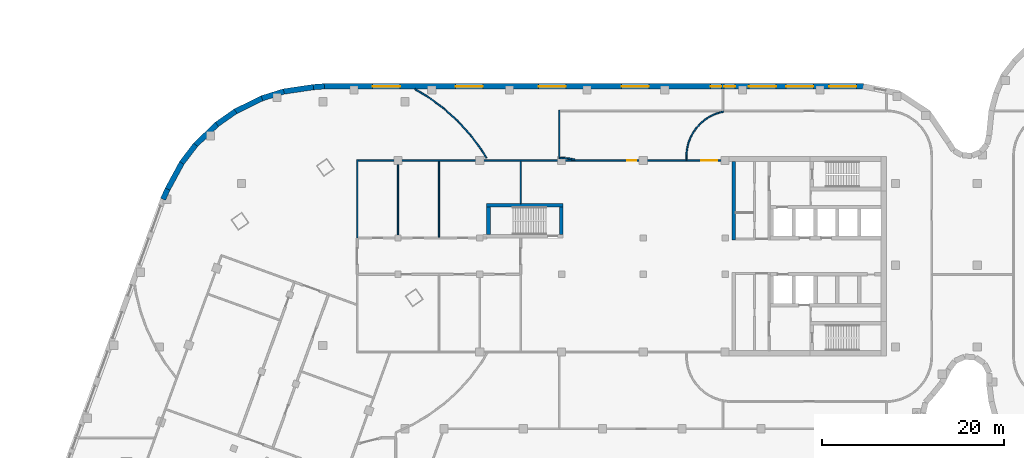
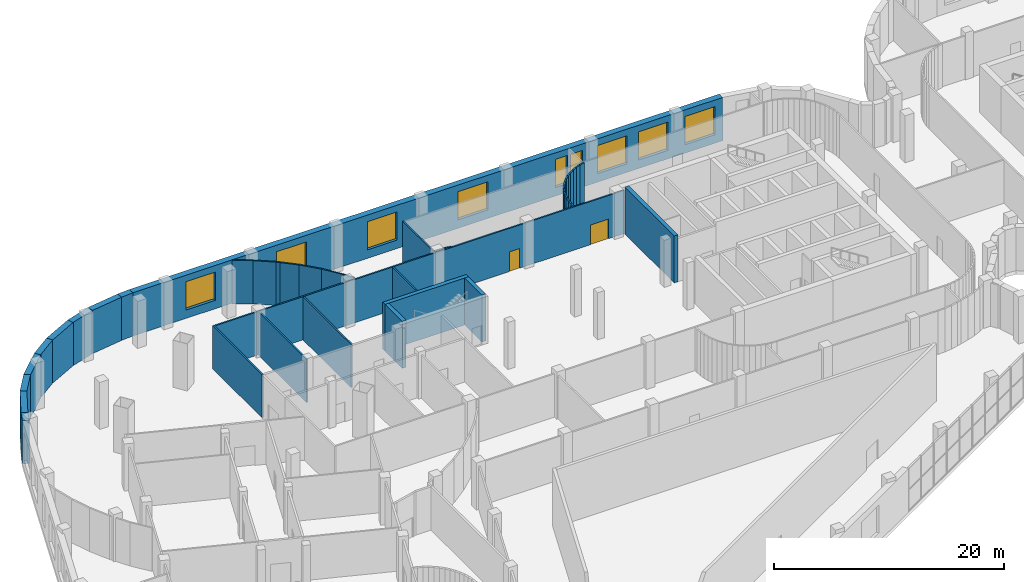
# One storey, part 16 of 24: 46 walls, 9 windows, 2 doors, 11 openings.
"""IFC4 building model written with IfcOpenShell, lengths in metres."""

import ifcopenshell
import ifcopenshell.guid

model = None  # the IFC model being written
_history = None  # IfcOwnerHistory: only IFC2X3 demands one
_inside = {}  # id of a spatial element -> (the spatial element, [elements in it])
_under = {}  # id of a project, library or spatial element -> (it, [spatial elements below it])
_declared = {}  # id of a project -> (the project, [libraries it declares])
_typed = {}  # id of a type object -> (the type object, [elements of that type])
_made_of = {}  # id of a material, layer set ... -> (it, [elements and type objects made of it])


def new_model(schema):
    """Start an empty IFC model of exactly this schema.

    Asked for "IFC4X3", IfcOpenShell would pick the latest addendum, in which some entities
    have other attributes; the version numbers below select the first issue.
    IFC2X3 requires an IfcOwnerHistory on every rooted entity: one is made here for all.
    """
    global model, _history
    if schema == "IFC4X3":
        model = ifcopenshell.file(schema_version=(4, 3, 0, 0))
    else:
        model = ifcopenshell.file(schema=schema)
    _inside.clear()
    _under.clear()
    _declared.clear()
    _typed.clear()
    _made_of.clear()
    _history = None
    if model.schema == "IFC2X3":
        org = make("IfcOrganization", Name="unknown")
        user = make(
            "IfcPersonAndOrganization",
            ThePerson=make("IfcPerson", FamilyName="unknown"),
            TheOrganization=org,
        )
        app = make(
            "IfcApplication",
            ApplicationDeveloper=org,
            Version="unknown",
            ApplicationFullName="unknown",
            ApplicationIdentifier="unknown",
        )
        _history = make(
            "IfcOwnerHistory",
            OwningUser=user,
            OwningApplication=app,
            ChangeAction="ADDED",
            CreationDate=0,
        )
    return model


def make(cls, **values):
    """One entity of the class cls with the attributes given. An attribute that is None is left unset."""
    return model.create_entity(
        cls, **{name: value for name, value in values.items() if value is not None}
    )


def rooted(cls, **values):
    """An entity with a GlobalId (a new one), such as an element, a storey or a relation."""
    return make(cls, GlobalId=ifcopenshell.guid.new(), OwnerHistory=_history, **values)


def si_unit(unit_type, name, prefix=None):
    """IfcSIUnit, for example si_unit("LENGTHUNIT", "METRE", prefix="MILLI")."""
    return make("IfcSIUnit", UnitType=unit_type, Prefix=prefix, Name=name)


def assignment(units):
    """IfcUnitAssignment: the units of a project."""
    return None if units is None else make("IfcUnitAssignment", Units=units)


def point(xyz):
    """IfcCartesianPoint."""
    return None if xyz is None else make("IfcCartesianPoint", Coordinates=xyz)


def direction(xyz):
    """IfcDirection."""
    return None if xyz is None else make("IfcDirection", DirectionRatios=xyz)


def frame(location, z_axis=None, x_axis=None):
    """IfcAxis2Placement3D, a coordinate frame: its origin and axes. An axis left out is left unset."""
    return make(
        "IfcAxis2Placement3D",
        Location=point(location),
        Axis=direction(z_axis),
        RefDirection=direction(x_axis),
    )


def frame_2d(location, x_axis=None):
    """IfcAxis2Placement2D, a coordinate frame in the plane: its origin and x axis."""
    return make(
        "IfcAxis2Placement2D", Location=point(location), RefDirection=direction(x_axis)
    )


def origin():
    """The frame at (0, 0, 0) with its axes left unset."""
    return frame((0.0, 0.0, 0.0))


def place(relative_to, where):
    """IfcLocalPlacement: puts the frame where relative to a parent placement (None: the world)."""
    return make(
        "IfcLocalPlacement", PlacementRelTo=relative_to, RelativePlacement=where
    )


def context(
    kind, dimensions, precision=None, world=None, true_north=None, identifier=None
):
    """IfcGeometricRepresentationContext, for example the 3D "Model" context."""
    return make(
        "IfcGeometricRepresentationContext",
        ContextIdentifier=identifier,
        ContextType=kind,
        CoordinateSpaceDimension=dimensions,
        Precision=precision,
        WorldCoordinateSystem=world,
        TrueNorth=true_north,
    )


def subcontext(parent, identifier, kind, view, scale=None):
    """IfcGeometricRepresentationSubContext, for example "Body" below "Model"."""
    return make(
        "IfcGeometricRepresentationSubContext",
        ContextIdentifier=identifier,
        ContextType=kind,
        ParentContext=parent,
        TargetScale=scale,
        TargetView=view,
    )


def project(units=None, contexts=None):
    """IfcProject with its units and contexts."""
    return rooted(
        "IfcProject",
        Name="project",
        RepresentationContexts=contexts,
        UnitsInContext=assignment(units),
    )


def spatial(cls, under=None, at=None, **own):
    """A site, building, storey or space (cls), placed at a placement, below another one or the project."""
    s = rooted(cls, ObjectPlacement=at, **own)
    if under is not None:
        _under.setdefault(under.id(), (under, []))[1].append(s)
    return s


def profile(cls, at=None, kind="AREA", **sizes):
    """A parametric profile (cls). Its sizes go by their IFC names, for example OverallWidth=200.0."""
    return make(cls, ProfileType=kind, Position=at, **sizes)


def rectangle(**sizes):
    """IfcRectangleProfileDef."""
    return profile("IfcRectangleProfileDef", **sizes)


def extrude(swept, where, along, depth):
    """IfcExtrudedAreaSolid: the profile swept, set in the frame where, extruded along a direction by depth."""
    return make(
        "IfcExtrudedAreaSolid",
        SweptArea=swept,
        Position=where,
        ExtrudedDirection=direction(along),
        Depth=depth,
    )


def shape(context_of_items, identifier, shape_type, items):
    """IfcShapeRepresentation: the items that make up one representation, for example the "Body"."""
    return make(
        "IfcShapeRepresentation",
        ContextOfItems=context_of_items,
        RepresentationIdentifier=identifier,
        RepresentationType=shape_type,
        Items=items,
    )


def material(Name=None, Category=None):
    """IfcMaterial."""
    return make("IfcMaterial", Name=Name, Category=Category)


def layer(
    of_material, thickness, ventilated=None, Name=None, Category=None, Priority=None
):
    """IfcMaterialLayer: one layer of a wall or slab, of a material (None: an air gap)."""
    return make(
        "IfcMaterialLayer",
        Material=of_material,
        LayerThickness=thickness,
        IsVentilated=ventilated,
        Name=Name,
        Category=Category,
        Priority=Priority,
    )


def layer_set(layers, Name=None):
    """IfcMaterialLayerSet."""
    return make("IfcMaterialLayerSet", MaterialLayers=layers, LayerSetName=Name)


def made_of(thing, what):
    """Note that an element or type object is made of a material, layer set ...; save() writes the relation."""
    if what is not None:
        _made_of.setdefault(what.id(), (what, []))[1].append(thing)
    return thing


def type_object(cls, material=None, **own):
    """A type object (cls), such as IfcWallType, which elements share."""
    return made_of(rooted(cls, **own), material)


def element(
    cls,
    number,
    at=None,
    inside=None,
    cuts=None,
    type_object=None,
    material=None,
    context=None,
    identifier="Body",
    shape_type=None,
    held_by="IfcProductDefinitionShape",
    body=None,
    shapes=None,
    **own,
):
    """One element of the class cls, such as IfcWall. Its Tag is "e" and its number.

    at: its placement. inside: the storey or other place that contains it. cuts: it is an
    opening in that element (IfcRelVoidsElement). A single representation is given by context,
    identifier, shape_type and body (its items); several are given by shapes. held_by: the class
    of the entity that holds the representations. save() writes the other relations.
    """
    e = rooted(cls, Tag="e%d" % number, ObjectPlacement=at, **own)
    if body is not None:
        shapes = [shape(context, identifier, shape_type, body)]
    if shapes is not None:
        e.Representation = make(held_by, Representations=shapes)
    if inside is not None:
        _inside.setdefault(inside.id(), (inside, []))[1].append(e)
    if cuts is not None:
        rooted(
            "IfcRelVoidsElement", RelatingBuildingElement=cuts, RelatedOpeningElement=e
        )
    if type_object is not None:
        _typed.setdefault(type_object.id(), (type_object, []))[1].append(e)
    return made_of(e, material)


def fill(opening, filler):
    """IfcRelFillsElement: the door or window that sits in an opening."""
    return rooted(
        "IfcRelFillsElement",
        RelatingOpeningElement=opening,
        RelatedBuildingElement=filler,
    )


def aggregate(whole, parts):
    """IfcRelAggregates: a whole, such as a stair, and the parts it consists of."""
    return rooted("IfcRelAggregates", RelatingObject=whole, RelatedObjects=parts)


def save(model, path):
    """Write the relations noted so far, then the file.

    IfcRelAggregates (storeys below a building ...), IfcRelContainedInSpatialStructure (elements
    in a storey), IfcRelDefinesByType, IfcRelAssociatesMaterial and IfcRelDeclares: one each for
    every whole, place, type object, material and project.
    """
    for whole, parts in _under.values():
        aggregate(whole, parts)
    for where, things in _inside.values():
        rooted(
            "IfcRelContainedInSpatialStructure",
            RelatedElements=things,
            RelatingStructure=where,
        )
    for kind, things in _typed.values():
        rooted("IfcRelDefinesByType", RelatedObjects=things, RelatingType=kind)
    for what, things in _made_of.values():
        rooted("IfcRelAssociatesMaterial", RelatedObjects=things, RelatingMaterial=what)
    for by, libraries in _declared.values():
        rooted("IfcRelDeclares", RelatingContext=by, RelatedDefinitions=libraries)
    model.write(path)


model = new_model("IFC4")

# Units and contexts
model_context = context("Model", 3, precision=1e-05, world=origin(), true_north=direction((0.0, 1.0)))
body_context = subcontext(model_context, "Body", "Model", "MODEL_VIEW")
ifc_project = project(units=[si_unit("LENGTHUNIT", "METRE"), si_unit("AREAUNIT", "SQUARE_METRE"), si_unit("VOLUMEUNIT", "CUBIC_METRE"), si_unit("PLANEANGLEUNIT", "RADIAN"), si_unit("MASSUNIT", "GRAM", prefix="KILO")], contexts=[model_context])

# Site, building, storey
site_placement = place(None, origin())
site = spatial("IfcSite", under=ifc_project, at=site_placement, CompositionType="ELEMENT")
building_placement = place(site_placement, origin())
building = spatial("IfcBuilding", under=site, at=building_placement, Name="Skarvind Civic Tower", CompositionType="ELEMENT")
storey_placement = place(building_placement, frame((0.0, 0.0, 12.5)))
storey = spatial("IfcBuildingStorey", under=building, at=storey_placement, Name="L02", CompositionType="ELEMENT", Elevation=12.5)

# Walls
ifc_material_1 = material(Name="Concrete C80", Category="concrete")
ifc_layer_1 = layer(ifc_material_1, 0.39990234375)
ifc_layer_set_1 = layer_set([ifc_layer_1], Name="Core wall 400 C80")
wall_type_1 = type_object("IfcWallType", Name="Core wall 400 C80", PredefinedType="SHEAR", material=ifc_layer_set_1)
wall_1_placement = place(storey_placement, frame((91.199951171875, 138.39990234375, 0.0), z_axis=(0.0, 0.0, 1.0), x_axis=(0.0, -1.0, 0.0)))
element("IfcWall", 1, at=wall_1_placement, inside=storey, type_object=wall_type_1, Name="Core wall C1 south inner face L02", PredefinedType="SHEAR", context=body_context, shape_type="SweptSolid", body=[
    extrude(rectangle(XDim=8.599853515625, YDim=0.39990234375, at=frame_2d((4.2998046875, 0.0))), origin(), (0.0, 0.0, 1.0), 5.0),
])
wall_2_placement = place(storey_placement, frame((64.0, 133.60009765625, 0.0), z_axis=(0.0, 0.0, 1.0), x_axis=(1.0, 0.0, 0.0)))
element("IfcWall", 2, at=wall_2_placement, inside=storey, type_object=wall_type_1, Name="Core wall CM outer L02", PredefinedType="SHEAR", context=body_context, shape_type="SweptSolid", body=[
    extrude(rectangle(XDim=8.39990234375, YDim=0.39990234375, at=frame_2d((4.199951171875, 0.0))), origin(), (0.0, 0.0, 1.0), 5.0),
])
for number, where, z_axis, x_axis, name in (
    (3, (64.199951171875, 130.39990234375, 0.0), (0.0, 0.0, 1.0), (0.0, 1.0, 0.0), "Core wall CM west L02"),
    (4, (72.199951171875, 130.39990234375, 0.0), (0.0, 0.0, 1.0), (0.0, 1.0, 0.0), "Core wall CM end L02"),
):
    element("IfcWall", number, at=place(storey_placement, frame(where, z_axis=z_axis, x_axis=x_axis)), inside=storey, type_object=wall_type_1, Name=name, PredefinedType="SHEAR", context=body_context, shape_type="SweptSolid", body=[
        extrude(rectangle(XDim=3.0, YDim=0.39990234375, at=frame_2d((1.5, 0.0))), origin(), (0.0, 0.0, 1.0), 5.0),
    ])
ifc_material_2 = material(Name="Plasterboard partition on steel studs", Category="steel")
ifc_layer_2 = layer(ifc_material_2, 0.14990234375)
ifc_layer_set_2 = layer_set([ifc_layer_2], Name="PARTITION 150")
wall_type_2 = type_object("IfcWallType", Name="PARTITION 150", PredefinedType="PARTITIONING", material=ifc_layer_set_2)
wall_3_placement = place(storey_placement, frame((49.75, 130.0, 0.0), z_axis=(0.0, 0.0, 1.0), x_axis=(0.0, 1.0, 0.0)))
element("IfcWall", 5, at=wall_3_placement, inside=storey, type_object=wall_type_2, Name="Podium partition L02 098", PredefinedType="PARTITIONING", context=body_context, shape_type="SweptSolid", body=[
    extrude(rectangle(XDim=8.625, YDim=0.14990234375, at=frame_2d((4.3125, 0.0))), origin(), (0.0, 0.0, 1.0), 4.60009765625),
])

# Wall, openings, doors
wall_4_placement = place(storey_placement, frame((49.824951171875, 138.550048828125, 0.0), z_axis=(0.0, 0.0, 1.0), x_axis=(1.0, 0.0, 0.0)))
wall_4 = element("IfcWall", 6, at=wall_4_placement, inside=storey, type_object=wall_type_2, Name="Podium partition L02 100", PredefinedType="PARTITIONING", context=body_context, shape_type="SweptSolid", body=[
    extrude(rectangle(XDim=41.175048828125, YDim=0.14990234375, at=frame_2d((20.58740234375, 0.0))), origin(), (0.0, 0.0, 1.0), 4.60009765625),
])
opening_1_placement = place(wall_4_placement, frame((29.64501953125, 0.0, 0.0)))
opening_1 = element("IfcOpeningElement", 7, at=opening_1_placement, cuts=wall_4, Name="Opening L02-D225", PredefinedType="OPENING", context=body_context, shape_type="SweptSolid", body=[
    extrude(rectangle(XDim=1.0, YDim=2.10009765625, at=frame_2d((0.5, 1.050048828125))), frame((0.0, 0.0849609375, 0.0), z_axis=(0.0, -1.0, 0.0), x_axis=(1.0, 0.0, 0.0)), (0.0, 0.0, 1.0), 0.169921875),
])
opening_2_placement = place(wall_4_placement, frame((37.77490234375, 0.0, 0.0)))
opening_2 = element("IfcOpeningElement", 8, at=opening_2_placement, cuts=wall_4, Name="Opening L02-D227", PredefinedType="OPENING", context=body_context, shape_type="SweptSolid", body=[
    extrude(rectangle(XDim=1.800048828125, YDim=2.10009765625, at=frame_2d((0.89990234375, 1.050048828125))), frame((0.0, 0.0849609375, 0.0), z_axis=(0.0, -1.0, 0.0), x_axis=(1.0, 0.0, 0.0)), (0.0, 0.0, 1.0), 0.169921875),
])
ifc_material_3 = material(Name="Timber veneer door leaf", Category="wood")
door_type_1 = type_object("IfcDoorType", Name="DOOR 1000X2100 TIMBER", OperationType="NOTDEFINED", PredefinedType="DOOR", material=ifc_material_3)
door_1_placement = place(opening_1_placement, origin())
door_1 = element("IfcDoor", 9, at=door_1_placement, inside=storey, type_object=door_type_1, Name="DOOR DOOR", OperationType="SINGLE_SWING_LEFT", OverallHeight=2.10009765625, OverallWidth=1.0, PredefinedType="DOOR", context=body_context, shape_type="SweptSolid", body=[
    extrude(rectangle(XDim=1.0, YDim=2.10009765625, at=frame_2d((0.5, 1.050048828125))), frame((0.0, 0.02490234375, 0.0), z_axis=(0.0, -1.0, 0.0), x_axis=(1.0, 0.0, 0.0)), (0.0, 0.0, 1.0), 0.050048828125),
])
fill(opening_1, door_1)
door_type_2 = type_object("IfcDoorType", Name="DOOR 1800X2100 DOUBLE TIMBER", OperationType="NOTDEFINED", PredefinedType="DOOR", material=ifc_material_3)
door_2_placement = place(opening_2_placement, origin())
door_2 = element("IfcDoor", 10, at=door_2_placement, inside=storey, type_object=door_type_2, Name="DOOR DOOR", OperationType="DOUBLE_DOOR_SINGLE_SWING", OverallHeight=2.10009765625, OverallWidth=1.800048828125, PredefinedType="DOOR", context=body_context, shape_type="SweptSolid", body=[
    extrude(rectangle(XDim=1.800048828125, YDim=2.10009765625, at=frame_2d((0.89990234375, 1.050048828125))), frame((0.0, 0.02490234375, 0.0), z_axis=(0.0, -1.0, 0.0), x_axis=(1.0, 0.0, 0.0)), (0.0, 0.0, 1.0), 0.050048828125),
])
fill(opening_2, door_2)

# Walls
wall_5_placement = place(storey_placement, frame((54.25, 130.10009765625, 0.0), z_axis=(0.0, 0.0, 1.0), x_axis=(0.0, 1.0, 0.0)))
element("IfcWall", 11, at=wall_5_placement, inside=storey, type_object=wall_type_2, Name="Podium partition L02 118", PredefinedType="PARTITIONING", context=body_context, shape_type="SweptSolid", body=[
    extrude(rectangle(XDim=8.375, YDim=0.14990234375, at=frame_2d((4.1875, 0.0))), origin(), (0.0, 0.0, 1.0), 4.60009765625),
])
wall_6_placement = place(storey_placement, frame((56.10009765625, 146.39990234375, 0.0), z_axis=(0.0, 0.0, 1.0), x_axis=(0.857728238456, -0.514103364076, 0.0)))
element("IfcWall", 12, at=wall_6_placement, inside=storey, type_object=wall_type_2, Name="Podium partition L02 120", PredefinedType="PARTITIONING", context=body_context, shape_type="SweptSolid", body=[
    extrude(rectangle(XDim=1.830322265625, YDim=0.14990234375, at=frame_2d((0.9150390625, 0.0))), origin(), (0.0, 0.0, 1.0), 4.60009765625),
])
wall_7_placement = place(storey_placement, frame((57.6640625, 145.462890625, 0.0), z_axis=(0.0, 0.0, 1.0), x_axis=(0.80317638599, -0.595741297031, 0.0)))
element("IfcWall", 13, at=wall_7_placement, inside=storey, type_object=wall_type_2, Name="Podium partition L02 122", PredefinedType="PARTITIONING", context=body_context, shape_type="SweptSolid", body=[
    extrude(rectangle(XDim=2.06787109375, YDim=0.14990234375, at=frame_2d((1.033935546875, 0.0))), origin(), (0.0, 0.0, 1.0), 4.60009765625),
])
wall_8_placement = place(storey_placement, frame((58.75, 130.10009765625, 0.0), z_axis=(0.0, 0.0, 1.0), x_axis=(0.0, 1.0, 0.0)))
element("IfcWall", 14, at=wall_8_placement, inside=storey, type_object=wall_type_2, Name="Podium partition L02 124", PredefinedType="PARTITIONING", context=body_context, shape_type="SweptSolid", body=[
    extrude(rectangle(XDim=8.375, YDim=0.14990234375, at=frame_2d((4.1875, 0.0))), origin(), (0.0, 0.0, 1.0), 4.60009765625),
])
wall_9_placement = place(storey_placement, frame((59.319091796875, 144.235107421875, 0.0), z_axis=(0.0, 0.0, 1.0), x_axis=(0.741733743968, -0.670694455813, 0.0)))
element("IfcWall", 15, at=wall_9_placement, inside=storey, type_object=wall_type_2, Name="Podium partition L02 127", PredefinedType="PARTITIONING", context=body_context, shape_type="SweptSolid", body=[
    extrude(rectangle(XDim=0.3505859375, YDim=0.14990234375, at=frame_2d((0.17529296875, 0.0))), origin(), (0.0, 0.0, 1.0), 4.60009765625),
])
wall_10_placement = place(storey_placement, frame((59.5791015625, 144.0, 0.0), z_axis=(0.0, 0.0, 1.0), x_axis=(0.741141652103, -0.671348681028, 0.0)))
element("IfcWall", 16, at=wall_10_placement, inside=storey, type_object=wall_type_2, Name="Podium partition L02 128", PredefinedType="PARTITIONING", context=body_context, shape_type="SweptSolid", body=[
    extrude(rectangle(XDim=1.717529296875, YDim=0.14990234375, at=frame_2d((0.85888671875, 0.0))), origin(), (0.0, 0.0, 1.0), 4.60009765625),
])
wall_11_placement = place(storey_placement, frame((60.846923828125, 142.85205078125, 0.0), z_axis=(0.0, 0.0, 1.0), x_axis=(0.671237826278, -0.741242052621, 0.0)))
element("IfcWall", 17, at=wall_11_placement, inside=storey, type_object=wall_type_2, Name="Podium partition L02 130", PredefinedType="PARTITIONING", context=body_context, shape_type="SweptSolid", body=[
    extrude(rectangle(XDim=2.068115234375, YDim=0.14990234375, at=frame_2d((1.0341796875, 0.0))), origin(), (0.0, 0.0, 1.0), 4.60009765625),
])
wall_12_placement = place(storey_placement, frame((62.23095703125, 141.324951171875, 0.0), z_axis=(0.0, 0.0, 1.0), x_axis=(0.595741297031, -0.80317638599, 0.0)))
element("IfcWall", 18, at=wall_12_placement, inside=storey, type_object=wall_type_2, Name="Podium partition L02 132", PredefinedType="PARTITIONING", context=body_context, shape_type="SweptSolid", body=[
    extrude(rectangle(XDim=2.06787109375, YDim=0.14990234375, at=frame_2d((1.033935546875, 0.0))), origin(), (0.0, 0.0, 1.0), 4.60009765625),
])
wall_13_placement = place(storey_placement, frame((63.458984375, 139.669921875, 0.0), z_axis=(0.0, 0.0, 1.0), x_axis=(0.514106720628, -0.857726226604, 0.0)))
element("IfcWall", 19, at=wall_13_placement, inside=storey, type_object=wall_type_2, Name="Podium partition L02 135", PredefinedType="PARTITIONING", context=body_context, shape_type="SweptSolid", body=[
    extrude(rectangle(XDim=1.015380859375, YDim=0.14990234375, at=frame_2d((0.5078125, 0.0))), origin(), (0.0, 0.0, 1.0), 4.60009765625),
])
wall_14_placement = place(storey_placement, frame((67.75, 133.800048828125, 0.0), z_axis=(0.0, 0.0, 1.0), x_axis=(0.0, 1.0, 0.0)))
element("IfcWall", 20, at=wall_14_placement, inside=storey, type_object=wall_type_2, Name="Podium partition L02 140", PredefinedType="PARTITIONING", context=body_context, shape_type="SweptSolid", body=[
    extrude(rectangle(XDim=4.675048828125, YDim=0.14990234375, at=frame_2d((2.33740234375, 0.0))), origin(), (0.0, 0.0, 1.0), 4.60009765625),
])
wall_15_placement = place(storey_placement, frame((72.0, 138.72509765625, 0.0), z_axis=(0.0, 0.0, 1.0), x_axis=(0.0, 1.0, 0.0)))
element("IfcWall", 21, at=wall_15_placement, inside=storey, type_object=wall_type_2, Name="Podium partition L02 142", PredefinedType="PARTITIONING", context=body_context, shape_type="SweptSolid", body=[
    extrude(rectangle(XDim=5.349853515625, YDim=0.14990234375, at=frame_2d((2.6748046875, 0.0))), origin(), (0.0, 0.0, 1.0), 4.60009765625),
])
wall_16_placement = place(storey_placement, frame((72.074951171875, 138.800048828125, 0.0), z_axis=(0.0, 0.0, 1.0), x_axis=(1.0, 0.0, 0.0)))
element("IfcWall", 22, at=wall_16_placement, inside=storey, type_object=wall_type_2, Name="Podium partition L02 143", PredefinedType="PARTITIONING", context=body_context, shape_type="SweptSolid", body=[
    extrude(rectangle(XDim=0.3271484375, YDim=0.14990234375, at=frame_2d((0.16357421875, 0.0))), origin(), (0.0, 0.0, 1.0), 4.60009765625),
])
wall_17_placement = place(storey_placement, frame((72.39794921875, 138.800048828125, 0.0), z_axis=(0.0, 0.0, 1.0), x_axis=(0.998815266503, -0.048662751665, 0.0)))
element("IfcWall", 23, at=wall_17_placement, inside=storey, type_object=wall_type_2, Name="Podium partition L02 145", PredefinedType="PARTITIONING", context=body_context, shape_type="SweptSolid", body=[
    extrude(rectangle(XDim=0.49658203125, YDim=0.14990234375, at=frame_2d((0.248291015625, 0.0))), origin(), (0.0, 0.0, 1.0), 4.60009765625),
])
wall_18_placement = place(storey_placement, frame((72.885986328125, 138.777099609375, 0.0), z_axis=(0.0, 0.0, 1.0), x_axis=(0.988853572557, -0.148891275908, 0.0)))
element("IfcWall", 24, at=wall_18_placement, inside=storey, type_object=wall_type_2, Name="Podium partition L02 146", PredefinedType="PARTITIONING", context=body_context, shape_type="SweptSolid", body=[
    extrude(rectangle(XDim=0.49853515625, YDim=0.14990234375, at=frame_2d((0.249267578125, 0.0))), origin(), (0.0, 0.0, 1.0), 4.60009765625),
])
wall_19_placement = place(storey_placement, frame((73.37109375, 138.705078125, 0.0), z_axis=(0.0, 0.0, 1.0), x_axis=(0.969811847647, -0.243854424119, 0.0)))
element("IfcWall", 25, at=wall_19_placement, inside=storey, type_object=wall_type_2, Name="Podium partition L02 147", PredefinedType="PARTITIONING", context=body_context, shape_type="SweptSolid", body=[
    extrude(rectangle(XDim=0.348388671875, YDim=0.14990234375, at=frame_2d((0.17431640625, 0.0))), origin(), (0.0, 0.0, 1.0), 4.60009765625),
])
wall_20_placement = place(storey_placement, frame((86.0, 138.625, 0.0), z_axis=(0.0, 0.0, 1.0), x_axis=(0.0, 1.0, 0.0)))
element("IfcWall", 26, at=wall_20_placement, inside=storey, type_object=wall_type_2, Name="Podium partition L02 151", PredefinedType="PARTITIONING", context=body_context, shape_type="SweptSolid", body=[
    extrude(rectangle(XDim=0.376953125, YDim=0.14990234375, at=frame_2d((0.1884765625, 0.0))), origin(), (0.0, 0.0, 1.0), 4.60009765625),
])
wall_21_placement = place(storey_placement, frame((86.0, 138.998046875, 0.0), z_axis=(0.0, 0.0, 1.0), x_axis=(0.048196018647, 0.998837896651, 0.0)))
element("IfcWall", 27, at=wall_21_placement, inside=storey, type_object=wall_type_2, Name="Podium partition L02 152", PredefinedType="PARTITIONING", context=body_context, shape_type="SweptSolid", body=[
    extrude(rectangle(XDim=0.496337890625, YDim=0.14990234375, at=frame_2d((0.248046875, 0.0))), origin(), (0.0, 0.0, 1.0), 4.60009765625),
])
wall_22_placement = place(storey_placement, frame((86.02294921875, 139.486083984375, 0.0), z_axis=(0.0, 0.0, 1.0), x_axis=(0.148412307247, 0.988925572052, 0.0)))
element("IfcWall", 28, at=wall_22_placement, inside=storey, type_object=wall_type_2, Name="Podium partition L02 154", PredefinedType="PARTITIONING", context=body_context, shape_type="SweptSolid", body=[
    extrude(rectangle(XDim=0.49853515625, YDim=0.14990234375, at=frame_2d((0.249267578125, 0.0))), origin(), (0.0, 0.0, 1.0), 4.60009765625),
])
wall_23_placement = place(storey_placement, frame((86.094970703125, 139.970947265625, 0.0), z_axis=(0.0, 0.0, 1.0), x_axis=(0.242650732785, 0.970113715952, 0.0)))
element("IfcWall", 29, at=wall_23_placement, inside=storey, type_object=wall_type_2, Name="Podium partition L02 156", PredefinedType="PARTITIONING", context=body_context, shape_type="SweptSolid", body=[
    extrude(rectangle(XDim=0.4990234375, YDim=0.14990234375, at=frame_2d((0.24951171875, 0.0))), origin(), (0.0, 0.0, 1.0), 4.60009765625),
])
for number, where, z_axis, x_axis, name in (
    (30, (86.214111328125, 140.447021484375, 0.0), (0.0, 0.0, 1.0), (0.3371744988, 0.941442168887, 0.0), "Podium partition L02 158"),
    (31, (86.37890625, 140.909912109375, 0.0), (0.0, 0.0, 1.0), (0.427896709028, 0.903827641978, 0.0), "Podium partition L02 160"),
):
    element("IfcWall", number, at=place(storey_placement, frame(where, z_axis=z_axis, x_axis=x_axis)), inside=storey, type_object=wall_type_2, Name=name, PredefinedType="PARTITIONING", context=body_context, shape_type="SweptSolid", body=[
        extrude(rectangle(XDim=0.498046875, YDim=0.14990234375, at=frame_2d((0.2490234375, 0.0))), origin(), (0.0, 0.0, 1.0), 4.60009765625),
    ])
wall_24_placement = place(storey_placement, frame((86.587890625, 141.35400390625, 0.0), z_axis=(0.0, 0.0, 1.0), x_axis=(0.515791778052, 0.85671397893, 0.0)))
element("IfcWall", 32, at=wall_24_placement, inside=storey, type_object=wall_type_2, Name="Podium partition L02 162", PredefinedType="PARTITIONING", context=body_context, shape_type="SweptSolid", body=[
    extrude(rectangle(XDim=0.49853515625, YDim=0.14990234375, at=frame_2d((0.249267578125, 0.0))), origin(), (0.0, 0.0, 1.0), 4.60009765625),
])
wall_25_placement = place(storey_placement, frame((86.841064453125, 141.77490234375, 0.0), z_axis=(0.0, 0.0, 1.0), x_axis=(0.594570362092, 0.80404358372, 0.0)))
element("IfcWall", 33, at=wall_25_placement, inside=storey, type_object=wall_type_2, Name="Podium partition L02 164", PredefinedType="PARTITIONING", context=body_context, shape_type="SweptSolid", body=[
    extrude(rectangle(XDim=0.49755859375, YDim=0.14990234375, at=frame_2d((0.248779296875, 0.0))), origin(), (0.0, 0.0, 1.0), 4.60009765625),
])
for number, where, z_axis, x_axis, name in (
    (34, (87.133056640625, 142.1689453125, 0.0), (0.0, 0.0, 1.0), (0.66993818776, 0.742416880587, 0.0), "Podium partition L02 166"),
    (35, (87.4609375, 142.532958984375, 0.0), (0.0, 0.0, 1.0), (0.742416880587, 0.66993818776, 0.0), "Podium partition L02 168"),
):
    element("IfcWall", number, at=place(storey_placement, frame(where, z_axis=z_axis, x_axis=x_axis)), inside=storey, type_object=wall_type_2, Name=name, PredefinedType="PARTITIONING", context=body_context, shape_type="SweptSolid", body=[
        extrude(rectangle(XDim=0.49853515625, YDim=0.14990234375, at=frame_2d((0.249267578125, 0.0))), origin(), (0.0, 0.0, 1.0), 4.60009765625),
    ])
wall_26_placement = place(storey_placement, frame((87.824951171875, 142.863037109375, 0.0), z_axis=(0.0, 0.0, 1.0), x_axis=(0.80404358372, 0.594570362092, 0.0)))
element("IfcWall", 36, at=wall_26_placement, inside=storey, type_object=wall_type_2, Name="Podium partition L02 170", PredefinedType="PARTITIONING", context=body_context, shape_type="SweptSolid", body=[
    extrude(rectangle(XDim=0.49755859375, YDim=0.14990234375, at=frame_2d((0.248779296875, 0.0))), origin(), (0.0, 0.0, 1.0), 4.60009765625),
])
wall_27_placement = place(storey_placement, frame((88.218994140625, 143.155029296875, 0.0), z_axis=(0.0, 0.0, 1.0), x_axis=(0.85671397893, 0.515791778052, 0.0)))
element("IfcWall", 37, at=wall_27_placement, inside=storey, type_object=wall_type_2, Name="Podium partition L02 172", PredefinedType="PARTITIONING", context=body_context, shape_type="SweptSolid", body=[
    extrude(rectangle(XDim=0.49853515625, YDim=0.14990234375, at=frame_2d((0.249267578125, 0.0))), origin(), (0.0, 0.0, 1.0), 4.60009765625),
])
for number, where, z_axis, x_axis, name in (
    (38, (88.639892578125, 143.407958984375, 0.0), (0.0, 0.0, 1.0), (0.903827641978, 0.427896709028, 0.0), "Podium partition L02 174"),
    (39, (89.083984375, 143.617919921875, 0.0), (0.0, 0.0, 1.0), (0.941442168887, 0.3371744988, 0.0), "Podium partition L02 176"),
):
    element("IfcWall", number, at=place(storey_placement, frame(where, z_axis=z_axis, x_axis=x_axis)), inside=storey, type_object=wall_type_2, Name=name, PredefinedType="PARTITIONING", context=body_context, shape_type="SweptSolid", body=[
        extrude(rectangle(XDim=0.498046875, YDim=0.14990234375, at=frame_2d((0.2490234375, 0.0))), origin(), (0.0, 0.0, 1.0), 4.60009765625),
    ])
wall_28_placement = place(storey_placement, frame((89.544921875, 143.783935546875, 0.0), z_axis=(0.0, 0.0, 1.0), x_axis=(0.970116111764, 0.242641154168, 0.0)))
element("IfcWall", 40, at=wall_28_placement, inside=storey, type_object=wall_type_2, Name="Podium partition L02 178", PredefinedType="PARTITIONING", context=body_context, shape_type="SweptSolid", body=[
    extrude(rectangle(XDim=0.54443359375, YDim=0.14990234375, at=frame_2d((0.272216796875, 0.0))), origin(), (0.0, 0.0, 1.0), 4.60009765625),
])

# Wall, openings, windows
ifc_material_4 = material(Name="Limestone masonry cladding on insulated backing", Category="masonry")
ifc_layer_3 = layer(ifc_material_4, 0.60009765625)
ifc_layer_set_3 = layer_set([ifc_layer_3], Name="WX1 STONE FACADE WALL 600")
wall_type_3 = type_object("IfcWallType", Name="WX1 STONE FACADE WALL 600", PredefinedType="SOLIDWALL", material=ifc_layer_set_3)
wall_29_placement = place(storey_placement, frame((46.114013671875, 146.699951171875, 0.0), z_axis=(0.0, 0.0, 1.0), x_axis=(1.0, 0.0, 0.0)))
wall_29 = element("IfcWall", 41, at=wall_29_placement, inside=storey, type_object=wall_type_3, Name="STONE FACADE WALL", PredefinedType="SOLIDWALL", context=body_context, shape_type="SweptSolid", body=[
    extrude(rectangle(XDim=59.3642578125, YDim=0.60009765625, at=frame_2d((29.68212890625, 0.0))), origin(), (0.0, 0.0, 1.0), 4.60009765625),
])
opening_3_placement = place(wall_29_placement, frame((5.349609375, 0.0, 0.89990234375)))
opening_3 = element("IfcOpeningElement", 42, at=opening_3_placement, cuts=wall_29, Name="Opening WN2", PredefinedType="OPENING", context=body_context, shape_type="SweptSolid", body=[
    extrude(rectangle(XDim=3.0, YDim=3.0, at=frame_2d((1.5, 1.5))), frame((0.0, 0.31005859375, 0.0), z_axis=(0.0, -1.0, 0.0), x_axis=(1.0, 0.0, 0.0)), (0.0, 0.0, 1.0), 0.6201171875),
])
opening_4_placement = place(wall_29_placement, frame((14.482666015625, 0.0, 0.89990234375)))
opening_4 = element("IfcOpeningElement", 43, at=opening_4_placement, cuts=wall_29, Name="Opening WN2", PredefinedType="OPENING", context=body_context, shape_type="SweptSolid", body=[
    extrude(rectangle(XDim=3.0, YDim=3.0, at=frame_2d((1.5, 1.5))), frame((0.0, 0.31005859375, 0.0), z_axis=(0.0, -1.0, 0.0), x_axis=(1.0, 0.0, 0.0)), (0.0, 0.0, 1.0), 0.6201171875),
])
opening_5_placement = place(wall_29_placement, frame((23.615478515625, 0.0, 0.89990234375)))
opening_5 = element("IfcOpeningElement", 44, at=opening_5_placement, cuts=wall_29, Name="Opening WN2", PredefinedType="OPENING", context=body_context, shape_type="SweptSolid", body=[
    extrude(rectangle(XDim=3.0, YDim=3.0, at=frame_2d((1.5, 1.5))), frame((0.0, 0.31005859375, 0.0), z_axis=(0.0, -1.0, 0.0), x_axis=(1.0, 0.0, 0.0)), (0.0, 0.0, 1.0), 0.6201171875),
])
opening_6_placement = place(wall_29_placement, frame((32.74853515625, 0.0, 0.89990234375)))
opening_6 = element("IfcOpeningElement", 45, at=opening_6_placement, cuts=wall_29, Name="Opening WN2", PredefinedType="OPENING", context=body_context, shape_type="SweptSolid", body=[
    extrude(rectangle(XDim=3.0, YDim=3.0, at=frame_2d((1.5, 1.5))), frame((0.0, 0.31005859375, 0.0), z_axis=(0.0, -1.0, 0.0), x_axis=(1.0, 0.0, 0.0)), (0.0, 0.0, 1.0), 0.6201171875),
])
opening_7_placement = place(wall_29_placement, frame((42.5361328125, 0.0, 0.89990234375)))
opening_7 = element("IfcOpeningElement", 46, at=opening_7_placement, cuts=wall_29, Name="Opening WN6", PredefinedType="OPENING", context=body_context, shape_type="SweptSolid", body=[
    extrude(rectangle(XDim=1.199951171875, YDim=3.0, at=frame_2d((0.60009765625, 1.5))), frame((0.0, 0.31005859375, 0.0), z_axis=(0.0, -1.0, 0.0), x_axis=(1.0, 0.0, 0.0)), (0.0, 0.0, 1.0), 0.6201171875),
])
opening_8_placement = place(wall_29_placement, frame((44.0361328125, 0.0, 0.89990234375)))
opening_8 = element("IfcOpeningElement", 47, at=opening_8_placement, cuts=wall_29, Name="Opening WN6", PredefinedType="OPENING", context=body_context, shape_type="SweptSolid", body=[
    extrude(rectangle(XDim=1.199951171875, YDim=3.0, at=frame_2d((0.60009765625, 1.5))), frame((0.0, 0.31005859375, 0.0), z_axis=(0.0, -1.0, 0.0), x_axis=(1.0, 0.0, 0.0)), (0.0, 0.0, 1.0), 0.6201171875),
])
opening_9_placement = place(wall_29_placement, frame((46.748046875, 0.0, 0.89990234375)))
opening_9 = element("IfcOpeningElement", 48, at=opening_9_placement, cuts=wall_29, Name="Opening WN2", PredefinedType="OPENING", context=body_context, shape_type="SweptSolid", body=[
    extrude(rectangle(XDim=3.0, YDim=3.0, at=frame_2d((1.5, 1.5))), frame((0.0, 0.31005859375, 0.0), z_axis=(0.0, -1.0, 0.0), x_axis=(1.0, 0.0, 0.0)), (0.0, 0.0, 1.0), 0.6201171875),
])
opening_10_placement = place(wall_29_placement, frame((50.864501953125, 0.0, 0.89990234375)))
opening_10 = element("IfcOpeningElement", 49, at=opening_10_placement, cuts=wall_29, Name="Opening WN2", PredefinedType="OPENING", context=body_context, shape_type="SweptSolid", body=[
    extrude(rectangle(XDim=3.0, YDim=3.0, at=frame_2d((1.5, 1.5))), frame((0.0, 0.31005859375, 0.0), z_axis=(0.0, -1.0, 0.0), x_axis=(1.0, 0.0, 0.0)), (0.0, 0.0, 1.0), 0.6201171875),
])
opening_11_placement = place(wall_29_placement, frame((55.5810546875, 0.0, 0.89990234375)))
opening_11 = element("IfcOpeningElement", 50, at=opening_11_placement, cuts=wall_29, Name="Opening WN2", PredefinedType="OPENING", context=body_context, shape_type="SweptSolid", body=[
    extrude(rectangle(XDim=3.0, YDim=3.0, at=frame_2d((1.5, 1.5))), frame((0.0, 0.31005859375, 0.0), z_axis=(0.0, -1.0, 0.0), x_axis=(1.0, 0.0, 0.0)), (0.0, 0.0, 1.0), 0.6201171875),
])
ifc_material_5 = material(Name="Timber frame, double glazing, timber-lined reveal", Category="wood")
window_type_1 = type_object("IfcWindowType", Name="WN2 PODIUM STONE WINDOW 3000 x 3000", PartitioningType="SINGLE_PANEL", PredefinedType="WINDOW", material=ifc_material_5)
window_1_placement = place(opening_3_placement, origin())
window_1 = element("IfcWindow", 51, at=window_1_placement, inside=storey, type_object=window_type_1, Name="WN2 WINDOW", OverallHeight=3.0, OverallWidth=3.0, PartitioningType="SINGLE_PANEL", PredefinedType="WINDOW", context=body_context, shape_type="SweptSolid", body=[
    extrude(rectangle(XDim=3.0, YDim=3.0, at=frame_2d((1.5, 1.5))), frame((0.0, 0.030029296875, 0.0), z_axis=(0.0, -1.0, 0.0), x_axis=(1.0, 0.0, 0.0)), (0.0, 0.0, 1.0), 0.06005859375),
])
fill(opening_3, window_1)
window_2_placement = place(opening_4_placement, origin())
window_2 = element("IfcWindow", 52, at=window_2_placement, inside=storey, type_object=window_type_1, Name="WN2 WINDOW", OverallHeight=3.0, OverallWidth=3.0, PartitioningType="SINGLE_PANEL", PredefinedType="WINDOW", context=body_context, shape_type="SweptSolid", body=[
    extrude(rectangle(XDim=3.0, YDim=3.0, at=frame_2d((1.5, 1.5))), frame((0.0, 0.030029296875, 0.0), z_axis=(0.0, -1.0, 0.0), x_axis=(1.0, 0.0, 0.0)), (0.0, 0.0, 1.0), 0.06005859375),
])
fill(opening_4, window_2)
window_3_placement = place(opening_5_placement, origin())
window_3 = element("IfcWindow", 53, at=window_3_placement, inside=storey, type_object=window_type_1, Name="WN2 WINDOW", OverallHeight=3.0, OverallWidth=3.0, PartitioningType="SINGLE_PANEL", PredefinedType="WINDOW", context=body_context, shape_type="SweptSolid", body=[
    extrude(rectangle(XDim=3.0, YDim=3.0, at=frame_2d((1.5, 1.5))), frame((0.0, 0.030029296875, 0.0), z_axis=(0.0, -1.0, 0.0), x_axis=(1.0, 0.0, 0.0)), (0.0, 0.0, 1.0), 0.06005859375),
])
fill(opening_5, window_3)
window_4_placement = place(opening_6_placement, origin())
window_4 = element("IfcWindow", 54, at=window_4_placement, inside=storey, type_object=window_type_1, Name="WN2 WINDOW", OverallHeight=3.0, OverallWidth=3.0, PartitioningType="SINGLE_PANEL", PredefinedType="WINDOW", context=body_context, shape_type="SweptSolid", body=[
    extrude(rectangle(XDim=3.0, YDim=3.0, at=frame_2d((1.5, 1.5))), frame((0.0, 0.030029296875, 0.0), z_axis=(0.0, -1.0, 0.0), x_axis=(1.0, 0.0, 0.0)), (0.0, 0.0, 1.0), 0.06005859375),
])
fill(opening_6, window_4)
window_5_placement = place(opening_9_placement, origin())
window_5 = element("IfcWindow", 55, at=window_5_placement, inside=storey, type_object=window_type_1, Name="WN2 WINDOW", OverallHeight=3.0, OverallWidth=3.0, PartitioningType="SINGLE_PANEL", PredefinedType="WINDOW", context=body_context, shape_type="SweptSolid", body=[
    extrude(rectangle(XDim=3.0, YDim=3.0, at=frame_2d((1.5, 1.5))), frame((0.0, 0.030029296875, 0.0), z_axis=(0.0, -1.0, 0.0), x_axis=(1.0, 0.0, 0.0)), (0.0, 0.0, 1.0), 0.06005859375),
])
fill(opening_9, window_5)
window_6_placement = place(opening_10_placement, origin())
window_6 = element("IfcWindow", 56, at=window_6_placement, inside=storey, type_object=window_type_1, Name="WN2 WINDOW", OverallHeight=3.0, OverallWidth=3.0, PartitioningType="SINGLE_PANEL", PredefinedType="WINDOW", context=body_context, shape_type="SweptSolid", body=[
    extrude(rectangle(XDim=3.0, YDim=3.0, at=frame_2d((1.5, 1.5))), frame((0.0, 0.030029296875, 0.0), z_axis=(0.0, -1.0, 0.0), x_axis=(1.0, 0.0, 0.0)), (0.0, 0.0, 1.0), 0.06005859375),
])
fill(opening_10, window_6)
window_7_placement = place(opening_11_placement, origin())
window_7 = element("IfcWindow", 57, at=window_7_placement, inside=storey, type_object=window_type_1, Name="WN2 WINDOW", OverallHeight=3.0, OverallWidth=3.0, PartitioningType="SINGLE_PANEL", PredefinedType="WINDOW", context=body_context, shape_type="SweptSolid", body=[
    extrude(rectangle(XDim=3.0, YDim=3.0, at=frame_2d((1.5, 1.5))), frame((0.0, 0.030029296875, 0.0), z_axis=(0.0, -1.0, 0.0), x_axis=(1.0, 0.0, 0.0)), (0.0, 0.0, 1.0), 0.06005859375),
])
fill(opening_11, window_7)
window_type_2 = type_object("IfcWindowType", Name="WN6 NARROW PODIUM WINDOW 1200 x 3000", PartitioningType="SINGLE_PANEL", PredefinedType="WINDOW", material=ifc_material_5)
window_8_placement = place(opening_7_placement, origin())
window_8 = element("IfcWindow", 58, at=window_8_placement, inside=storey, type_object=window_type_2, Name="WN6 WINDOW", OverallHeight=3.0, OverallWidth=1.199951171875, PartitioningType="SINGLE_PANEL", PredefinedType="WINDOW", context=body_context, shape_type="SweptSolid", body=[
    extrude(rectangle(XDim=1.199951171875, YDim=3.0, at=frame_2d((0.60009765625, 1.5))), frame((0.0, 0.030029296875, 0.0), z_axis=(0.0, -1.0, 0.0), x_axis=(1.0, 0.0, 0.0)), (0.0, 0.0, 1.0), 0.06005859375),
])
fill(opening_7, window_8)
window_9_placement = place(opening_8_placement, origin())
window_9 = element("IfcWindow", 59, at=window_9_placement, inside=storey, type_object=window_type_2, Name="WN6 WINDOW", OverallHeight=3.0, OverallWidth=1.199951171875, PartitioningType="SINGLE_PANEL", PredefinedType="WINDOW", context=body_context, shape_type="SweptSolid", body=[
    extrude(rectangle(XDim=1.199951171875, YDim=3.0, at=frame_2d((0.60009765625, 1.5))), frame((0.0, 0.030029296875, 0.0), z_axis=(0.0, -1.0, 0.0), x_axis=(1.0, 0.0, 0.0)), (0.0, 0.0, 1.0), 0.06005859375),
])
fill(opening_8, window_9)

# Walls
wall_30_placement = place(storey_placement, frame((44.922607421875, 146.611083984375, 0.0), z_axis=(0.0, 0.0, 1.0), x_axis=(0.997284700817, 0.073642552354, 0.0)))
element("IfcWall", 60, at=wall_30_placement, inside=storey, type_object=wall_type_3, Name="STONE FACADE WALL", PredefinedType="SOLIDWALL", context=body_context, shape_type="SweptSolid", body=[
    extrude(rectangle(XDim=1.216796875, YDim=0.60009765625, at=frame_2d((0.6083984375, 0.0))), origin(), (0.0, 0.0, 1.0), 4.60009765625),
])
wall_31_placement = place(storey_placement, frame((41.63232421875, 146.120849609375, 0.0), z_axis=(0.0, 0.0, 1.0), x_axis=(0.989117960185, 0.14712464389, 0.0)))
element("IfcWall", 61, at=wall_31_placement, inside=storey, type_object=wall_type_3, Name="STONE FACADE WALL", PredefinedType="SOLIDWALL", context=body_context, shape_type="SweptSolid", body=[
    extrude(rectangle(XDim=3.3486328125, YDim=0.60009765625, at=frame_2d((1.67431640625, 0.0))), origin(), (0.0, 0.0, 1.0), 4.60009765625),
])
wall_32_placement = place(storey_placement, frame((39.279541015625, 145.384033203125, 0.0), z_axis=(0.0, 0.0, 1.0), x_axis=(0.954711451083, 0.297533267335, 0.0)))
element("IfcWall", 62, at=wall_32_placement, inside=storey, type_object=wall_type_3, Name="STONE FACADE WALL", PredefinedType="SOLIDWALL", context=body_context, shape_type="SweptSolid", body=[
    extrude(rectangle(XDim=2.51171875, YDim=0.60009765625, at=frame_2d((1.255859375, 0.0))), origin(), (0.0, 0.0, 1.0), 4.60009765625),
])
wall_33_placement = place(storey_placement, frame((36.323486328125, 143.928466796875, 0.0), z_axis=(0.0, 0.0, 1.0), x_axis=(0.897590342017, 0.440830554656, 0.0)))
element("IfcWall", 63, at=wall_33_placement, inside=storey, type_object=wall_type_3, Name="STONE FACADE WALL", PredefinedType="SOLIDWALL", context=body_context, shape_type="SweptSolid", body=[
    extrude(rectangle(XDim=3.34130859375, YDim=0.60009765625, at=frame_2d((1.670654296875, 0.0))), origin(), (0.0, 0.0, 1.0), 4.60009765625),
])
wall_34_placement = place(storey_placement, frame((34.305908203125, 142.511474609375, 0.0), z_axis=(0.0, 0.0, 1.0), x_axis=(0.819136010061, 0.57359933492, 0.0)))
element("IfcWall", 64, at=wall_34_placement, inside=storey, type_object=wall_type_3, Name="STONE FACADE WALL", PredefinedType="SOLIDWALL", context=body_context, shape_type="SweptSolid", body=[
    extrude(rectangle(XDim=2.51171875, YDim=0.60009765625, at=frame_2d((1.255859375, 0.0))), origin(), (0.0, 0.0, 1.0), 4.60009765625),
])
wall_35_placement = place(storey_placement, frame((31.931884765625, 140.226318359375, 0.0), z_axis=(0.0, 0.0, 1.0), x_axis=(0.721175568195, 0.692752336581, 0.0)))
element("IfcWall", 65, at=wall_35_placement, inside=storey, type_object=wall_type_3, Name="STONE FACADE WALL", PredefinedType="SOLIDWALL", context=body_context, shape_type="SweptSolid", body=[
    extrude(rectangle(XDim=3.34130859375, YDim=0.60009765625, at=frame_2d((1.670654296875, 0.0))), origin(), (0.0, 0.0, 1.0), 4.60009765625),
])
wall_36_placement = place(storey_placement, frame((30.440673828125, 138.26318359375, 0.0), z_axis=(0.0, 0.0, 1.0), x_axis=(0.606110577383, 0.795380392004, 0.0)))
element("IfcWall", 66, at=wall_36_placement, inside=storey, type_object=wall_type_3, Name="STONE FACADE WALL", PredefinedType="SOLIDWALL", context=body_context, shape_type="SweptSolid", body=[
    extrude(rectangle(XDim=2.511474609375, YDim=0.60009765625, at=frame_2d((1.255859375, 0.0))), origin(), (0.0, 0.0, 1.0), 4.60009765625),
])
wall_37_placement = place(storey_placement, frame((28.8701171875, 135.35791015625, 0.0), z_axis=(0.0, 0.0, 1.0), x_axis=(0.476510950298, 0.879168535746, 0.0)))
element("IfcWall", 67, at=wall_37_placement, inside=storey, type_object=wall_type_3, Name="STONE FACADE WALL", PredefinedType="SOLIDWALL", context=body_context, shape_type="SweptSolid", body=[
    extrude(rectangle(XDim=3.3486328125, YDim=0.60009765625, at=frame_2d((1.67431640625, 0.0))), origin(), (0.0, 0.0, 1.0), 4.60009765625),
])
wall_38_placement = place(storey_placement, frame((28.380615234375, 134.268310546875, 0.0), z_axis=(0.0, 0.0, 1.0), x_axis=(0.410322962362, 0.911940275763, 0.0)))
element("IfcWall", 68, at=wall_38_placement, inside=storey, type_object=wall_type_3, Name="STONE FACADE WALL", PredefinedType="SOLIDWALL", context=body_context, shape_type="SweptSolid", body=[
    extrude(rectangle(XDim=1.216796875, YDim=0.60009765625, at=frame_2d((0.6083984375, 0.0))), origin(), (0.0, 0.0, 1.0), 4.60009765625),
])

save(model, "model.ifc")
